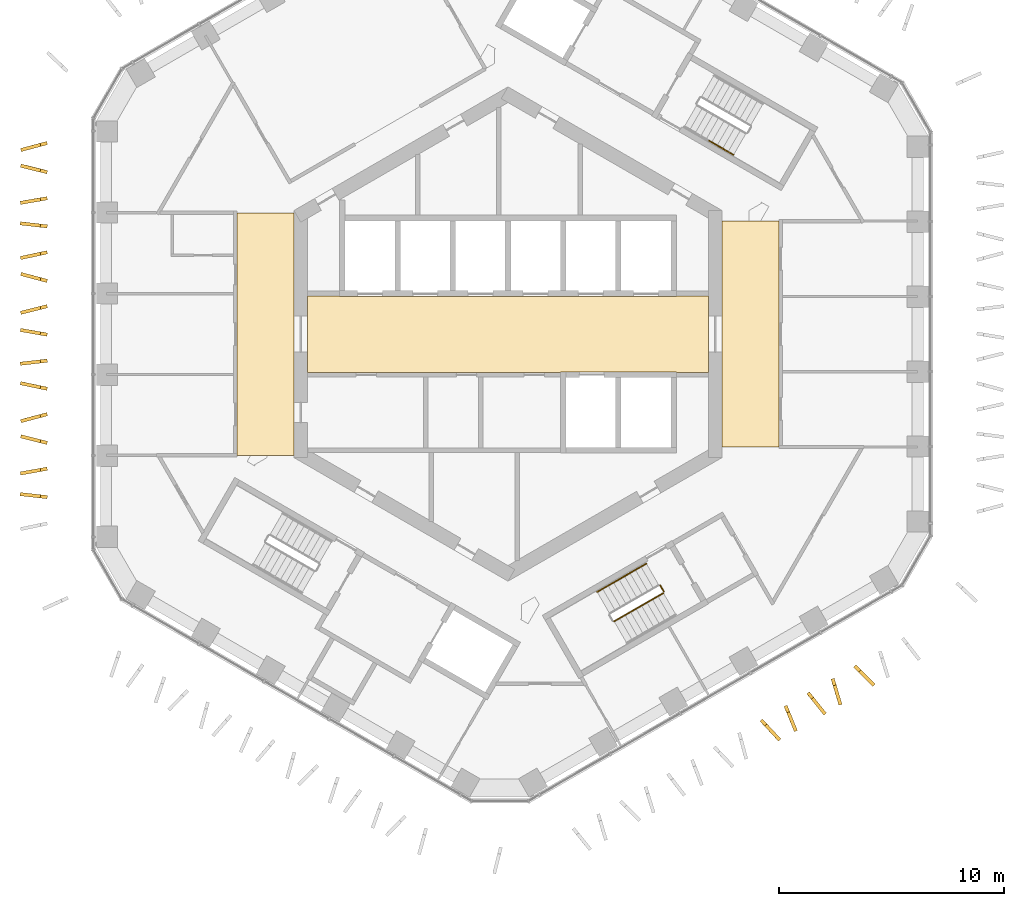
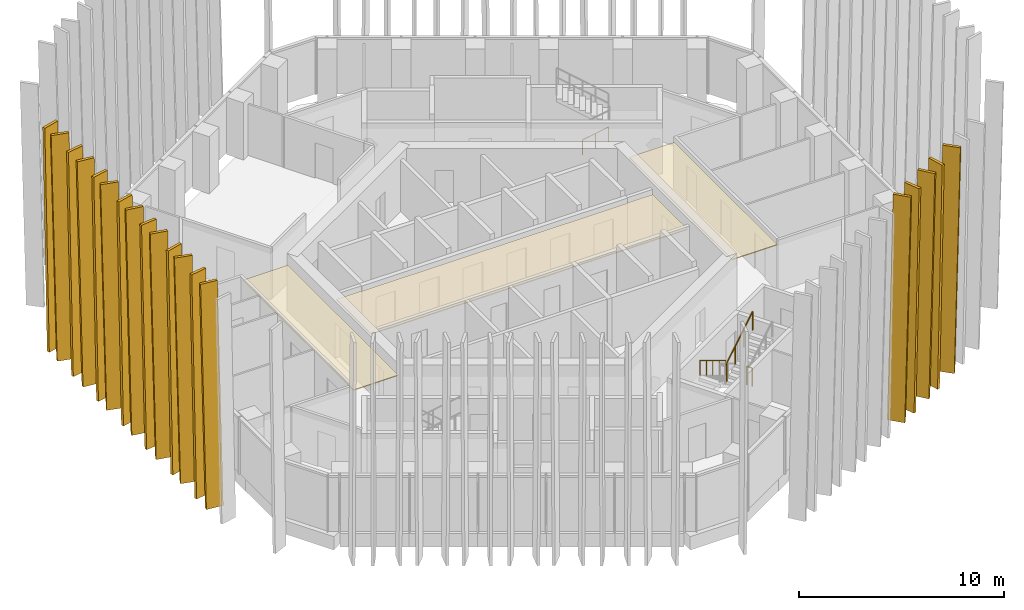
# One storey, part 19 of 21: 19 shading devices, 5 railings, 3 coverings.
"""IFC4 building model written with IfcOpenShell, lengths in metres."""

import ifcopenshell
import ifcopenshell.guid

model = None  # the IFC model being written
_history = None  # IfcOwnerHistory: only IFC2X3 demands one
_inside = {}  # id of a spatial element -> (the spatial element, [elements in it])
_under = {}  # id of a project, library or spatial element -> (it, [spatial elements below it])
_declared = {}  # id of a project -> (the project, [libraries it declares])
_typed = {}  # id of a type object -> (the type object, [elements of that type])
_made_of = {}  # id of a material, layer set ... -> (it, [elements and type objects made of it])


def new_model(schema):
    """Start an empty IFC model of exactly this schema.

    Asked for "IFC4X3", IfcOpenShell would pick the latest addendum, in which some entities
    have other attributes; the version numbers below select the first issue.
    IFC2X3 requires an IfcOwnerHistory on every rooted entity: one is made here for all.
    """
    global model, _history
    if schema == "IFC4X3":
        model = ifcopenshell.file(schema_version=(4, 3, 0, 0))
    else:
        model = ifcopenshell.file(schema=schema)
    _inside.clear()
    _under.clear()
    _declared.clear()
    _typed.clear()
    _made_of.clear()
    _history = None
    if model.schema == "IFC2X3":
        org = make("IfcOrganization", Name="unknown")
        user = make(
            "IfcPersonAndOrganization",
            ThePerson=make("IfcPerson", FamilyName="unknown"),
            TheOrganization=org,
        )
        app = make(
            "IfcApplication",
            ApplicationDeveloper=org,
            Version="unknown",
            ApplicationFullName="unknown",
            ApplicationIdentifier="unknown",
        )
        _history = make(
            "IfcOwnerHistory",
            OwningUser=user,
            OwningApplication=app,
            ChangeAction="ADDED",
            CreationDate=0,
        )
    return model


def make(cls, **values):
    """One entity of the class cls with the attributes given. An attribute that is None is left unset."""
    return model.create_entity(
        cls, **{name: value for name, value in values.items() if value is not None}
    )


def rooted(cls, **values):
    """An entity with a GlobalId (a new one), such as an element, a storey or a relation."""
    return make(cls, GlobalId=ifcopenshell.guid.new(), OwnerHistory=_history, **values)


def si_unit(unit_type, name, prefix=None):
    """IfcSIUnit, for example si_unit("LENGTHUNIT", "METRE", prefix="MILLI")."""
    return make("IfcSIUnit", UnitType=unit_type, Prefix=prefix, Name=name)


def assignment(units):
    """IfcUnitAssignment: the units of a project."""
    return None if units is None else make("IfcUnitAssignment", Units=units)


def point(xyz):
    """IfcCartesianPoint."""
    return None if xyz is None else make("IfcCartesianPoint", Coordinates=xyz)


def direction(xyz):
    """IfcDirection."""
    return None if xyz is None else make("IfcDirection", DirectionRatios=xyz)


def frame(location, z_axis=None, x_axis=None):
    """IfcAxis2Placement3D, a coordinate frame: its origin and axes. An axis left out is left unset."""
    return make(
        "IfcAxis2Placement3D",
        Location=point(location),
        Axis=direction(z_axis),
        RefDirection=direction(x_axis),
    )


def frame_2d(location, x_axis=None):
    """IfcAxis2Placement2D, a coordinate frame in the plane: its origin and x axis."""
    return make(
        "IfcAxis2Placement2D", Location=point(location), RefDirection=direction(x_axis)
    )


def origin():
    """The frame at (0, 0, 0) with its axes left unset."""
    return frame((0.0, 0.0, 0.0))


def origin_2d():
    """The frame at (0, 0) in the plane with its x axis left unset."""
    return frame_2d((0.0, 0.0))


def place(relative_to, where):
    """IfcLocalPlacement: puts the frame where relative to a parent placement (None: the world)."""
    return make(
        "IfcLocalPlacement", PlacementRelTo=relative_to, RelativePlacement=where
    )


def context(
    kind, dimensions, precision=None, world=None, true_north=None, identifier=None
):
    """IfcGeometricRepresentationContext, for example the 3D "Model" context."""
    return make(
        "IfcGeometricRepresentationContext",
        ContextIdentifier=identifier,
        ContextType=kind,
        CoordinateSpaceDimension=dimensions,
        Precision=precision,
        WorldCoordinateSystem=world,
        TrueNorth=true_north,
    )


def subcontext(parent, identifier, kind, view, scale=None):
    """IfcGeometricRepresentationSubContext, for example "Body" below "Model"."""
    return make(
        "IfcGeometricRepresentationSubContext",
        ContextIdentifier=identifier,
        ContextType=kind,
        ParentContext=parent,
        TargetScale=scale,
        TargetView=view,
    )


def project(units=None, contexts=None):
    """IfcProject with its units and contexts."""
    return rooted(
        "IfcProject",
        Name="project",
        RepresentationContexts=contexts,
        UnitsInContext=assignment(units),
    )


def spatial(cls, under=None, at=None, **own):
    """A site, building, storey or space (cls), placed at a placement, below another one or the project."""
    s = rooted(cls, ObjectPlacement=at, **own)
    if under is not None:
        _under.setdefault(under.id(), (under, []))[1].append(s)
    return s


def polyline(points):
    """IfcPolyline through the points."""
    return make("IfcPolyline", Points=[point(p) for p in points])


def profile(cls, at=None, kind="AREA", **sizes):
    """A parametric profile (cls). Its sizes go by their IFC names, for example OverallWidth=200.0."""
    return make(cls, ProfileType=kind, Position=at, **sizes)


def circle(**sizes):
    """IfcCircleProfileDef."""
    return profile("IfcCircleProfileDef", **sizes)


def outline(outer, holes=None, kind="AREA"):
    """IfcArbitraryClosedProfileDef: a profile drawn as a closed curve; with holes, ...WithVoids."""
    if holes is None:
        return make("IfcArbitraryClosedProfileDef", ProfileType=kind, OuterCurve=outer)
    return make(
        "IfcArbitraryProfileDefWithVoids",
        ProfileType=kind,
        OuterCurve=outer,
        InnerCurves=holes,
    )


def extrude(swept, where, along, depth):
    """IfcExtrudedAreaSolid: the profile swept, set in the frame where, extruded along a direction by depth."""
    return make(
        "IfcExtrudedAreaSolid",
        SweptArea=swept,
        Position=where,
        ExtrudedDirection=direction(along),
        Depth=depth,
    )


def shape(context_of_items, identifier, shape_type, items):
    """IfcShapeRepresentation: the items that make up one representation, for example the "Body"."""
    return make(
        "IfcShapeRepresentation",
        ContextOfItems=context_of_items,
        RepresentationIdentifier=identifier,
        RepresentationType=shape_type,
        Items=items,
    )


def material(Name=None, Category=None):
    """IfcMaterial."""
    return make("IfcMaterial", Name=Name, Category=Category)


def layer(
    of_material, thickness, ventilated=None, Name=None, Category=None, Priority=None
):
    """IfcMaterialLayer: one layer of a wall or slab, of a material (None: an air gap)."""
    return make(
        "IfcMaterialLayer",
        Material=of_material,
        LayerThickness=thickness,
        IsVentilated=ventilated,
        Name=Name,
        Category=Category,
        Priority=Priority,
    )


def layer_set(layers, Name=None):
    """IfcMaterialLayerSet."""
    return make("IfcMaterialLayerSet", MaterialLayers=layers, LayerSetName=Name)


def made_of(thing, what):
    """Note that an element or type object is made of a material, layer set ...; save() writes the relation."""
    if what is not None:
        _made_of.setdefault(what.id(), (what, []))[1].append(thing)
    return thing


def type_object(cls, material=None, **own):
    """A type object (cls), such as IfcWallType, which elements share."""
    return made_of(rooted(cls, **own), material)


def element(
    cls,
    number,
    at=None,
    inside=None,
    cuts=None,
    type_object=None,
    material=None,
    context=None,
    identifier="Body",
    shape_type=None,
    held_by="IfcProductDefinitionShape",
    body=None,
    shapes=None,
    **own,
):
    """One element of the class cls, such as IfcWall. Its Tag is "e" and its number.

    at: its placement. inside: the storey or other place that contains it. cuts: it is an
    opening in that element (IfcRelVoidsElement). A single representation is given by context,
    identifier, shape_type and body (its items); several are given by shapes. held_by: the class
    of the entity that holds the representations. save() writes the other relations.
    """
    e = rooted(cls, Tag="e%d" % number, ObjectPlacement=at, **own)
    if body is not None:
        shapes = [shape(context, identifier, shape_type, body)]
    if shapes is not None:
        e.Representation = make(held_by, Representations=shapes)
    if inside is not None:
        _inside.setdefault(inside.id(), (inside, []))[1].append(e)
    if cuts is not None:
        rooted(
            "IfcRelVoidsElement", RelatingBuildingElement=cuts, RelatedOpeningElement=e
        )
    if type_object is not None:
        _typed.setdefault(type_object.id(), (type_object, []))[1].append(e)
    return made_of(e, material)


def aggregate(whole, parts):
    """IfcRelAggregates: a whole, such as a stair, and the parts it consists of."""
    return rooted("IfcRelAggregates", RelatingObject=whole, RelatedObjects=parts)


def save(model, path):
    """Write the relations noted so far, then the file.

    IfcRelAggregates (storeys below a building ...), IfcRelContainedInSpatialStructure (elements
    in a storey), IfcRelDefinesByType, IfcRelAssociatesMaterial and IfcRelDeclares: one each for
    every whole, place, type object, material and project.
    """
    for whole, parts in _under.values():
        aggregate(whole, parts)
    for where, things in _inside.values():
        rooted(
            "IfcRelContainedInSpatialStructure",
            RelatedElements=things,
            RelatingStructure=where,
        )
    for kind, things in _typed.values():
        rooted("IfcRelDefinesByType", RelatedObjects=things, RelatingType=kind)
    for what, things in _made_of.values():
        rooted("IfcRelAssociatesMaterial", RelatedObjects=things, RelatingMaterial=what)
    for by, libraries in _declared.values():
        rooted("IfcRelDeclares", RelatingContext=by, RelatedDefinitions=libraries)
    model.write(path)


model = new_model("IFC4")

# Units and contexts
model_context = context("Model", 3, precision=1e-05, world=origin(), true_north=direction((0.0, 1.0)))
body_context = subcontext(model_context, "Body", "Model", "MODEL_VIEW")
ifc_project = project(units=[si_unit("LENGTHUNIT", "METRE"), si_unit("AREAUNIT", "SQUARE_METRE"), si_unit("VOLUMEUNIT", "CUBIC_METRE"), si_unit("PLANEANGLEUNIT", "RADIAN"), si_unit("MASSUNIT", "GRAM", prefix="KILO")], contexts=[model_context])

# Site, building, storey
site_placement = place(None, origin())
site = spatial("IfcSite", under=ifc_project, at=site_placement, CompositionType="ELEMENT")
building_placement = place(site_placement, origin())
building = spatial("IfcBuilding", under=site, at=building_placement, Name="Ayvan Gate Tower", CompositionType="ELEMENT")
storey_placement = place(building_placement, frame((0.0, 0.0, 173.10009765625)))
storey = spatial("IfcBuildingStorey", under=building, at=storey_placement, Name="L46", CompositionType="ELEMENT", Elevation=173.10009765625)

# Shading devices
ifc_material_1 = material(Name="Bronze anodised aluminium", Category="aluminium")
ifc_layer_1 = layer(ifc_material_1, 0.14990234375)
ifc_layer_set_1 = layer_set([ifc_layer_1], Name="Bronze anodised aluminium")
shading_device_type = type_object("IfcShadingDeviceType", Name="Bronze fin 900 x 150", PredefinedType="USERDEFINED", material=ifc_layer_set_1)
shading_device_1_placement = place(storey_placement, frame((-20.474609375, 8.55224609375, 0.0), z_axis=(-0.256041656024, 0.966665743717, 0.000101508828), x_axis=(-0.966665748698, -0.256041657343, 0.0)))
element("IfcShadingDevice", 1, at=shading_device_1_placement, inside=storey, type_object=shading_device_type, Name="Bronze fin FG17.3.17", ObjectType="FIN", PredefinedType="USERDEFINED", context=body_context, shape_type="SweptSolid", body=[
    extrude(outline(polyline([(0.0, 0.0), (0.9001220832250882, 3.3881317890172014e-21), (1.2096173525925262, 13.479980538199143), (0.309495269367438, 13.479980538199143), (0.0, 0.0)])), origin(), (0.0, 0.0, -1.0), 0.14990234375),
])
shading_device_2_placement = place(storey_placement, frame((-20.436767578125, 7.2568359375, 0.0), z_axis=(0.242376052178, 0.970182373379, 0.000108235641), x_axis=(-0.970182379062, 0.242376053599, -1.7803e-08)))
element("IfcShadingDevice", 2, at=shading_device_2_placement, inside=storey, type_object=shading_device_type, Name="Bronze fin FG17.3.18", ObjectType="FIN", PredefinedType="USERDEFINED", context=body_context, shape_type="SweptSolid", body=[
    extrude(outline(polyline([(0.0, 0.0), (0.8999161082622219, 0.0), (1.2095398631914303, 13.479980569241512), (0.3094460678380312, 13.479980537196836), (0.0, 0.0)])), origin(), (0.0, 0.0, -1.0), 0.14990234375),
])
shading_device_3_placement = place(storey_placement, frame((-20.46533203125, 6.103759765625, 0.0), z_axis=(-0.170488251302, 0.985359702232, 0.000115694425), x_axis=(-0.985359708827, -0.170488252441, -1.2789e-08)))
element("IfcShadingDevice", 3, at=shading_device_3_placement, inside=storey, type_object=shading_device_type, Name="Bronze fin FG17.3.19", ObjectType="FIN", PredefinedType="USERDEFINED", context=body_context, shape_type="SweptSolid", body=[
    extrude(outline(polyline([(0.0, 0.0), (0.8998762414532671, 3.3881317890172014e-21), (1.2096253748761334, 13.479980574435743), (0.30946694397919766, 13.479980551415512), (0.0, 0.0)])), origin(), (0.0, 0.0, -1.0), 0.14990234375),
])
shading_device_4_placement = place(storey_placement, frame((-20.442626953125, 4.8515625, 0.0), z_axis=(0.115416833328, 0.993317141352, 0.000106207694), x_axis=(-0.993317146955, 0.115416833977, 1.4308e-08)))
element("IfcShadingDevice", 4, at=shading_device_4_placement, inside=storey, type_object=shading_device_type, Name="Bronze fin FG17.3.20", ObjectType="FIN", PredefinedType="USERDEFINED", context=body_context, shape_type="SweptSolid", body=[
    extrude(outline(polyline([(0.0, 0.0), (0.9000438346165183, 0.0), (1.2095785437904925, 13.479980527470492), (0.3095065312359917, 13.479980553227223), (0.0, 0.0)])), origin(), (0.0, 0.0, -1.0), 0.14990234375),
])
shading_device_5_placement = place(storey_placement, frame((-20.46923828125, 3.701904296875, 0.0), z_axis=(-0.208046908612, 0.978118842834, 0.000114499362), x_axis=(-0.978118849246, -0.208046909975, 0.0)))
element("IfcShadingDevice", 5, at=shading_device_5_placement, inside=storey, type_object=shading_device_type, Name="Bronze fin FG17.3.21", ObjectType="FIN", PredefinedType="USERDEFINED", context=body_context, shape_type="SweptSolid", body=[
    extrude(outline(polyline([(0.0, 0.0), (0.9000655640456651, 0.0), (1.2096509937108877, 13.479980557111979), (0.30958542966522273, 13.479980557111979), (0.0, 0.0)])), origin(), (0.0, 0.0, -1.0), 0.14990234375),
])
shading_device_6_placement = place(storey_placement, frame((-20.436279296875, 2.430419921875, 0.0), z_axis=(0.256235550591, 0.966614363957, 0.000118345812), x_axis=(-0.966614370726, 0.256235552384, 1.5518e-08)))
element("IfcShadingDevice", 6, at=shading_device_6_placement, inside=storey, type_object=shading_device_type, Name="Bronze fin FG17.3.22", ObjectType="FIN", PredefinedType="USERDEFINED", context=body_context, shape_type="SweptSolid", body=[
    extrude(outline(polyline([(0.0, 0.0), (0.8998860752802869, 0.0), (1.2094016589932886, 13.479980544381307), (0.3094530262050954, 13.479980572310687), (0.0, 0.0)])), origin(), (0.0, 0.0, -1.0), 0.14990234375),
])
shading_device_7_placement = place(storey_placement, frame((-20.47314453125, 1.309326171875, 0.0), z_axis=(-0.242790932423, 0.970078630553, 0.000116952675), x_axis=(-0.970078637187, -0.242790934083, 0.0)))
element("IfcShadingDevice", 7, at=shading_device_7_placement, inside=storey, type_object=shading_device_type, Name="Bronze fin FG17.3.23", ObjectType="FIN", PredefinedType="USERDEFINED", context=body_context, shape_type="SweptSolid", body=[
    extrude(outline(polyline([(0.0, 0.0), (0.8999753644008668, 3.3881317890172014e-21), (1.2094218780161083, 13.479980560939106), (0.30944651361524134, 13.479980560939106), (0.0, 0.0)])), origin(), (0.0, 0.0, -1.0), 0.14990234375),
])
shading_device_8_placement = place(storey_placement, frame((-20.439697265625, 0.04736328125, 0.0), z_axis=(0.172817947003, 0.984953778014, 0.000111219438), x_axis=(-0.984953784106, 0.172817948072, 2.607e-09)))
element("IfcShadingDevice", 8, at=shading_device_8_placement, inside=storey, type_object=shading_device_type, Name="Bronze fin FG17.3.24", ObjectType="FIN", PredefinedType="USERDEFINED", context=body_context, shape_type="SweptSolid", body=[
    extrude(outline(polyline([(0.0, 0.0), (0.9000127497582385, -3.3881317890172014e-21), (1.20934322906169, 13.479980548969403), (0.30957094653589917, 13.479980553661333), (0.0, 0.0)])), origin(), (0.0, 0.0, -1.0), 0.14990234375),
])
shading_device_9_placement = place(storey_placement, frame((-20.459716796875, -1.1064453125, 0.0), z_axis=(-0.112039219477, 0.993703779528, 0.000108863369), x_axis=(-0.993703785416, -0.112039220141, 0.0)))
element("IfcShadingDevice", 9, at=shading_device_9_placement, inside=storey, type_object=shading_device_type, Name="Bronze fin FG17.3.25", ObjectType="FIN", PredefinedType="USERDEFINED", context=body_context, shape_type="SweptSolid", body=[
    extrude(outline(polyline([(0.0, 0.0), (0.8999534091546, 0.0), (1.209439461503155, 13.479980548627198), (0.3094860523485551, 13.479980548627198), (0.0, 0.0)])), origin(), (0.0, 0.0, -1.0), 0.14990234375),
])
shading_device_10_placement = place(storey_placement, frame((-20.438232421875, -2.355712890625, 0.0), z_axis=(0.205654952802, 0.978624557726, 0.000124113698), x_axis=(-0.978624565263, 0.205654954386, 0.0)))
element("IfcShadingDevice", 10, at=shading_device_10_placement, inside=storey, type_object=shading_device_type, Name="Bronze fin FG17.3.26", ObjectType="FIN", PredefinedType="USERDEFINED", context=body_context, shape_type="SweptSolid", body=[
    extrude(outline(polyline([(0.0, 0.0), (0.8998499175607362, 3.3881317890172014e-21), (1.2093440749022597, 13.479980572574227), (0.30949415734152336, 13.479980572574227), (0.0, 0.0)])), origin(), (0.0, 0.0, -1.0), 0.14990234375),
])
shading_device_11_placement = place(storey_placement, frame((-20.474609375, -3.484130859375, 0.0), z_axis=(-0.255534651305, 0.966799890923, 0.00011355002), x_axis=(-0.966799897156, -0.255534652952, 0.0)))
element("IfcShadingDevice", 11, at=shading_device_11_placement, inside=storey, type_object=shading_device_type, Name="Bronze fin FG17.3.27", ObjectType="FIN", PredefinedType="USERDEFINED", context=body_context, shape_type="SweptSolid", body=[
    extrude(outline(polyline([(0.0, 0.0), (0.8999971866563695, 3.3881317890172014e-21), (1.20949169583435, 13.479980555652789), (0.30949450917798055, 13.479980555652789), (0.0, 0.0)])), origin(), (0.0, 0.0, -1.0), 0.14990234375),
])
shading_device_12_placement = place(storey_placement, frame((-20.4365234375, -4.760498046875, 0.0), z_axis=(0.244258460836, 0.969710158232, 0.000115462243), x_axis=(-0.969710164696, 0.244258462466, -1.5185e-08)))
element("IfcShadingDevice", 12, at=shading_device_12_placement, inside=storey, type_object=shading_device_type, Name="Bronze fin FG17.3.28", ObjectType="FIN", PredefinedType="USERDEFINED", context=body_context, shape_type="SweptSolid", body=[
    extrude(outline(polyline([(0.0, 0.0), (0.9000953890303286, 0.0), (1.2095979985187686, 13.479980576971649), (0.3095622429021281, 13.479980549637371), (0.0, 0.0)])), origin(), (0.0, 0.0, -1.0), 0.14990234375),
])
shading_device_13_placement = place(storey_placement, frame((-20.4658203125, -5.90283203125, 0.0), z_axis=(-0.174992423235, 0.98456977352, 0.000113492168), x_axis=(-0.984569779861, -0.174992424362, 0.0)))
element("IfcShadingDevice", 13, at=shading_device_13_placement, inside=storey, type_object=shading_device_type, Name="Bronze fin FG17.3.29", ObjectType="FIN", PredefinedType="USERDEFINED", context=body_context, shape_type="SweptSolid", body=[
    extrude(outline(polyline([(0.0, 0.0), (0.8998715441478868, -3.3881317890172014e-21), (1.2093580647146445, 13.479980555564262), (0.3094865205667578, 13.479980555564262), (0.0, 0.0)])), origin(), (0.0, 0.0, -1.0), 0.14990234375),
])
shading_device_14_placement = place(storey_placement, frame((-20.44287109375, -7.164794921875, 0.0), z_axis=(0.111220487833, 0.993795749214, 0.000109229521), x_axis=(-0.993795755142, 0.111220488497, 1.648e-09)))
element("IfcShadingDevice", 14, at=shading_device_14_placement, inside=storey, type_object=shading_device_type, Name="Bronze fin FG17.3.30", ObjectType="FIN", PredefinedType="USERDEFINED", context=body_context, shape_type="SweptSolid", body=[
    extrude(outline(polyline([(0.0, 0.0), (0.9001142693175007, 1.6940658945086007e-21), (1.209488661015182, 13.479980547172733), (0.30961701761446386, 13.47998055013829), (0.0, 0.0)])), origin(), (0.0, 0.0, -1.0), 0.14990234375),
])
shading_device_15_placement = place(storey_placement, frame((11.18017578125, -17.1826171875, 0.0), z_axis=(-0.733970973387, -0.679180826814, 0.00012129926), x_axis=(0.679180831811, -0.733970978786, 0.0)))
element("IfcShadingDevice", 15, at=shading_device_15_placement, inside=storey, type_object=shading_device_type, Name="Bronze fin FG17.7.57", ObjectType="FIN", PredefinedType="USERDEFINED", context=body_context, shape_type="SweptSolid", body=[
    extrude(outline(polyline([(0.0, 0.0), (0.9000962576783373, 0.0), (1.2096245112682884, 13.479980567918918), (0.30952825358995106, 13.479980567918918), (0.0, 0.0)])), origin(), (0.0, 0.0, -1.0), 0.14990234375),
])
shading_device_16_placement = place(storey_placement, frame((12.250732421875, -16.531005859375, 0.0), z_axis=(-0.925577195584, -0.378558902825, 0.000110031029), x_axis=(0.378558905115, -0.925577201188, -1.3814e-08)))
element("IfcShadingDevice", 16, at=shading_device_16_placement, inside=storey, type_object=shading_device_type, Name="Bronze fin FG17.7.58", ObjectType="FIN", PredefinedType="USERDEFINED", context=body_context, shape_type="SweptSolid", body=[
    extrude(outline(polyline([(0.0, 0.0), (0.8999411823943506, -6.776263578034403e-21), (1.2094699342846664, 13.479980567057684), (0.3094363302826215, 13.479980542192585), (0.0, 0.0)])), origin(), (0.0, 0.0, -1.0), 0.14990234375),
])
shading_device_17_placement = place(storey_placement, frame((13.261474609375, -15.97265625, 0.0), z_axis=(-0.779994732327, -0.625786071111, 0.000103662537), x_axis=(0.625786074474, -0.779994736517, 8.799e-09)))
element("IfcShadingDevice", 17, at=shading_device_17_placement, inside=storey, type_object=shading_device_type, Name="Bronze fin FG17.7.59", ObjectType="FIN", PredefinedType="USERDEFINED", context=body_context, shape_type="SweptSolid", body=[
    extrude(outline(polyline([(0.0, 0.0), (0.8999446634028947, 0.0), (1.2096254699150546, 13.479980530533702), (0.30949037810969016, 13.47998054637292), (0.0, 0.0)])), origin(), (0.0, 0.0, -1.0), 0.14990234375),
])
shading_device_18_placement = place(storey_placement, frame((14.33935546875, -15.31982421875, 0.0), z_axis=(-0.958328806636, -0.285667440449, 0.000108805047), x_axis=(0.28566744214, -0.958328812309, -4.216e-09)))
element("IfcShadingDevice", 18, at=shading_device_18_placement, inside=storey, type_object=shading_device_type, Name="Bronze fin FG17.7.60", ObjectType="FIN", PredefinedType="USERDEFINED", context=body_context, shape_type="SweptSolid", body=[
    extrude(outline(polyline([(0.0, 0.0), (0.9000448023584962, -1.0164395367051604e-20), (1.2095121449561343, 13.479980553640411), (0.309701309592831, 13.479980546053003), (0.0, 0.0)])), origin(), (0.0, 0.0, -1.0), 0.14990234375),
])
shading_device_19_placement = place(storey_placement, frame((15.33935546875, -14.7861328125, 0.0), z_axis=(-0.707242381092, -0.706971147197, 0.000106857234), x_axis=(0.706971151235, -0.707242385128, 2.0494e-08)))
element("IfcShadingDevice", 19, at=shading_device_19_placement, inside=storey, type_object=shading_device_type, Name="Bronze fin FG17.7.61", ObjectType="FIN", PredefinedType="USERDEFINED", context=body_context, shape_type="SweptSolid", body=[
    extrude(outline(polyline([(0.0, 0.0), (0.90011100812944, -6.776263578034403e-21), (1.209642897192558, 13.479980520919598), (0.30953182284390557, 13.479980557813874), (0.0, 0.0)])), origin(), (0.0, 0.0, -1.0), 0.14990234375),
])

# Coverings
ifc_material_2 = material(Name="Plasterboard suspended ceiling")
ifc_layer_2 = layer(ifc_material_2, 0.050048828125)
ifc_layer_set_2 = layer_set([ifc_layer_2], Name="Plasterboard suspended ceiling")
covering_type = type_object("IfcCoveringType", Name="CT-SUSP-50", PredefinedType="CEILING", material=ifc_layer_set_2)
covering_1_placement = place(storey_placement, frame((0.0, 0.0, 2.699951171875)))
element("IfcCovering", 20, at=covering_1_placement, inside=storey, type_object=covering_type, Name="Ceiling Lift Lobby L46", PredefinedType="CEILING", context=body_context, shape_type="SweptSolid", body=[
    extrude(outline(polyline([(7.47509765625, -1.675048828125), (2.324951171875, -1.675048828125), (2.324951171875, -1.699951171875), (-8.89990234375, -1.699951171875), (-8.89990234375, 1.699951171875), (-7.47509765625, 1.699951171875), (-7.47509765625, 1.675048828125), (7.47509765625, 1.675048828125), (7.47509765625, 1.699951171875), (8.89990234375, 1.699951171875), (8.89990234375, -1.699951171875), (7.47509765625, -1.699951171875), (7.47509765625, -1.675048828125)])), origin(), (0.0, 0.0, 1.0), 0.050048828125),
])
covering_2_placement = place(storey_placement, frame((0.0, 0.0, 2.699951171875)))
element("IfcCovering", 21, at=covering_2_placement, inside=storey, type_object=covering_type, Name="Ceiling Lift Lounge Lobby L46", PredefinedType="CEILING", context=body_context, shape_type="SweptSolid", body=[
    extrude(outline(polyline([(12.02490234375, -5.01416015625), (9.5, -5.01416015625), (9.5, 5.01416015625), (12.02490234375, 5.01416015625), (12.02490234375, -4.939208984375), (12.02490234375, -4.939208984375), (12.02490234375, -5.01416015625)])), origin(), (0.0, 0.0, 1.0), 0.050048828125),
])
covering_3_placement = place(storey_placement, frame((0.0, 0.0, 2.699951171875)))
element("IfcCovering", 22, at=covering_3_placement, inside=storey, type_object=covering_type, Name="Ceiling Lift Lounge Lobby L46", PredefinedType="CEILING", context=body_context, shape_type="SweptSolid", body=[
    extrude(outline(polyline([(-12.02490234375, 5.384033203125), (-9.5, 5.384033203125), (-9.5, -5.384033203125), (-12.02490234375, -5.384033203125), (-12.02490234375, 5.384033203125)])), origin(), (0.0, 0.0, 1.0), 0.050048828125),
])

# Railings
ifc_material_3 = material(Name="Stainless steel balustrade", Category="steel")
railing_type_1 = type_object("IfcRailingType", Name="RL-GUARD-1100", PredefinedType="GUARDRAIL", material=ifc_material_3)
railing_1_placement = place(storey_placement, frame((4.715087890625, -12.756591796875, 1.869873046875)))
element("IfcRailing", 23, at=railing_1_placement, inside=storey, type_object=railing_type_1, Name="L46 STS3 stair guard 3", PredefinedType="GUARDRAIL", context=body_context, shape_type="SweptSolid", body=[
    extrude(circle(Radius=0.02392578125, at=origin_2d()), frame((0.0, 0.0, 1.076171875), z_axis=(0.740261155115, 0.427395438142, 0.518986090067), x_axis=(-0.500004791531, 0.866022637375, 0.0)), (0.0, 0.0, 1.0), 2.947998046875),
    extrude(circle(Radius=0.02099609375, at=origin_2d()), origin(), (0.0, 0.0, 1.0), 1.052001953125),
    extrude(circle(Radius=0.02099609375, at=origin_2d()), frame((0.7275390625, 0.419921875, 0.510009765625)), (0.0, 0.0, 1.0), 1.052001953125),
    extrude(circle(Radius=0.02099609375, at=origin_2d()), frame((1.454833984375, 0.840087890625, 1.02001953125)), (0.0, 0.0, 1.0), 1.052001953125),
    extrude(circle(Radius=0.02099609375, at=origin_2d()), frame((2.182373046875, 1.260009765625, 1.530029296875)), (0.0, 0.0, 1.0), 1.052001953125),
])
railing_2_placement = place(storey_placement, frame((6.7607421875, -11.159912109375, 0.0)))
element("IfcRailing", 24, at=railing_2_placement, inside=storey, type_object=railing_type_1, Name="L46 STS3 stair guard 4", PredefinedType="GUARDRAIL", context=body_context, shape_type="SweptSolid", body=[
    extrude(circle(Radius=0.02392578125, at=origin_2d()), frame((0.0, 0.0, 1.076171875), z_axis=(0.500290723946, -0.86585748916, 0.0), x_axis=(0.86585748916, 0.500290723946, 0.0)), (0.0, 0.0, 1.0), 0.309814453125),
    extrude(circle(Radius=0.02099609375, at=origin_2d()), origin(), (0.0, 0.0, 1.0), 1.052001953125),
    extrude(circle(Radius=0.02099609375, at=origin_2d()), frame((0.155029296875, -0.268310546875, 0.0)), (0.0, 0.0, 1.0), 1.052001953125),
])
railing_type_2 = type_object("IfcRailingType", Name="RL-HANDRAIL-900", PredefinedType="HANDRAIL", material=ifc_material_3)
railing_3_placement = place(storey_placement, frame((8.92236328125, 8.583984375, 0.934814453125)))
element("IfcRailing", 25, at=railing_3_placement, inside=storey, type_object=railing_type_2, Name="L46 STS1 stair handrail 2", PredefinedType="HANDRAIL", context=body_context, shape_type="SweptSolid", body=[
    extrude(circle(Radius=0.02392578125, at=origin_2d()), frame((0.0, 0.0, 0.8759765625), z_axis=(0.740165700939, -0.427470949681, 0.519060037311), x_axis=(0.50011940292, 0.865956455501, 0.0)), (0.0, 0.0, 1.0), 1.47412109375),
    extrude(circle(Radius=0.02099609375, at=origin_2d()), origin(), (0.0, 0.0, 1.0), 0.851806640625),
    extrude(circle(Radius=0.02099609375, at=origin_2d()), frame((0.54541015625, -0.31494140625, 0.382568359375)), (0.0, 0.0, 1.0), 0.851806640625),
    extrude(circle(Radius=0.02099609375, at=origin_2d()), frame((1.091064453125, -0.630126953125, 0.76513671875)), (0.0, 0.0, 1.0), 0.851806640625),
])
railing_4_placement = place(storey_placement, frame((6.142333984375, -10.18896484375, 0.169921875)))
element("IfcRailing", 26, at=railing_4_placement, inside=storey, type_object=railing_type_2, Name="L46 STS3 stair handrail 1", PredefinedType="HANDRAIL", context=body_context, shape_type="SweptSolid", body=[
    extrude(circle(Radius=0.02392578125, at=origin_2d()), frame((0.0, 0.0, 0.8759765625), z_axis=(-0.740281741151, -0.427372318678, 0.518975765278), x_axis=(0.499974077718, -0.866040369504, 0.0)), (0.0, 0.0, 1.0), 1.473876953125),
    extrude(circle(Radius=0.02099609375, at=origin_2d()), origin(), (0.0, 0.0, 1.0), 0.851806640625),
    extrude(circle(Radius=0.02099609375, at=origin_2d()), frame((-0.54541015625, -0.31494140625, 0.38232421875)), (0.0, 0.0, 1.0), 0.851806640625),
    extrude(circle(Radius=0.02099609375, at=origin_2d()), frame((-1.091064453125, -0.6298828125, 0.764892578125)), (0.0, 0.0, 1.0), 0.851806640625),
])
railing_5_placement = place(storey_placement, frame((5.05126953125, -10.81884765625, 0.934814453125)))
element("IfcRailing", 27, at=railing_5_placement, inside=storey, type_object=railing_type_2, Name="L46 STS3 stair handrail 2", PredefinedType="HANDRAIL", context=body_context, shape_type="SweptSolid", body=[
    extrude(circle(Radius=0.02392578125, at=origin_2d()), frame((0.0, 0.0, 0.8759765625), z_axis=(-0.740240574041, -0.427418550694, 0.518996411419), x_axis=(0.500035496587, -0.86600490885, 0.0)), (0.0, 0.0, 1.0), 1.474365234375),
    extrude(circle(Radius=0.02099609375, at=origin_2d()), origin(), (0.0, 0.0, 1.0), 0.851806640625),
    extrude(circle(Radius=0.02099609375, at=origin_2d()), frame((-0.545654296875, -0.31494140625, 0.382568359375)), (0.0, 0.0, 1.0), 0.851806640625),
    extrude(circle(Radius=0.02099609375, at=origin_2d()), frame((-1.09130859375, -0.630126953125, 0.76513671875)), (0.0, 0.0, 1.0), 0.851806640625),
])

save(model, "model.ifc")
